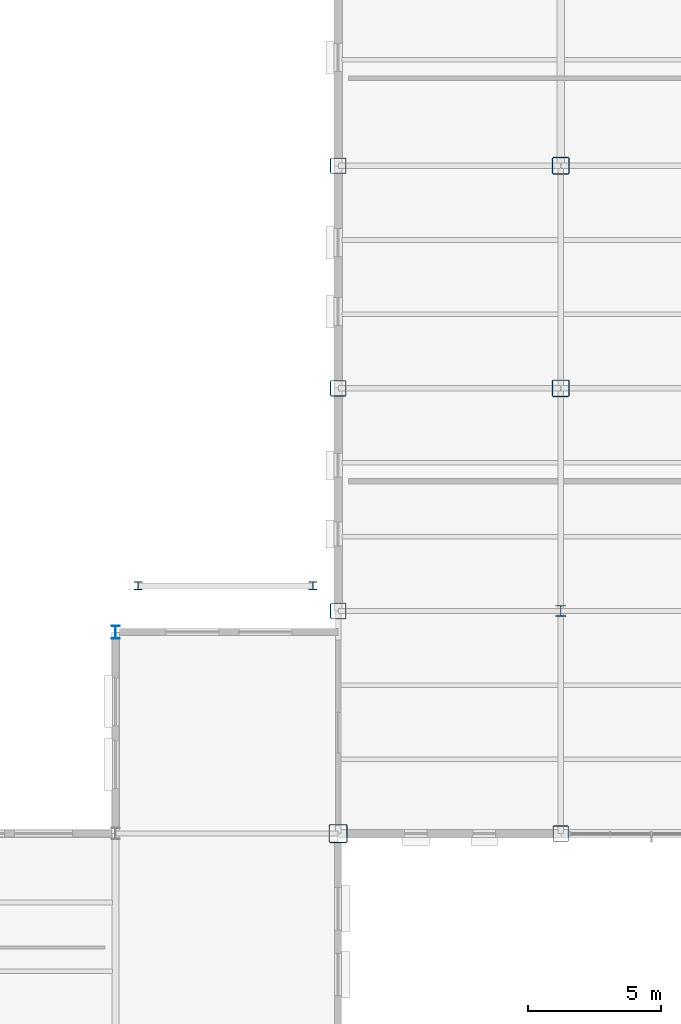
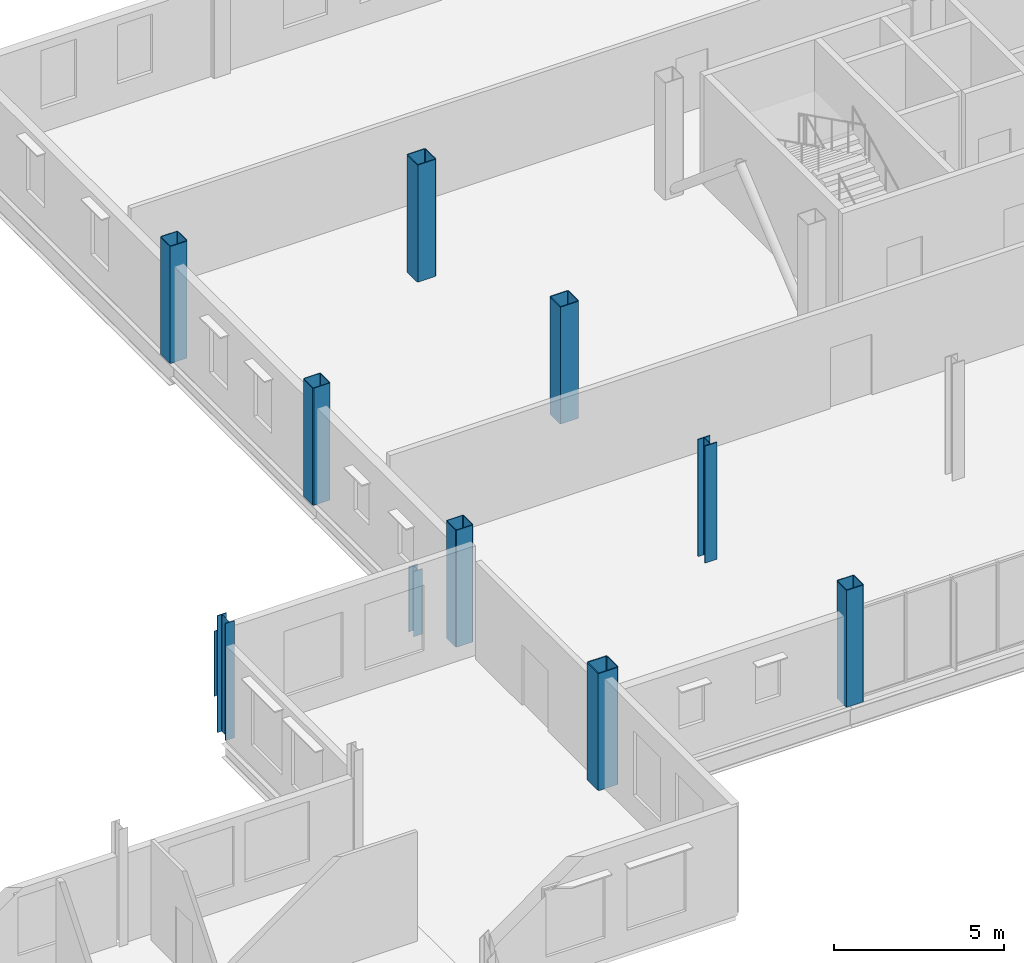
# One storey, part 9 of 45: 11 columns.
"""IFC4 building model written with IfcOpenShell, lengths in metres."""

from ifc_helpers import new_model, si_unit, direction, frame, origin, origin_2d, place, context, subcontext, project, spatial, hollow_rectangle, i_section, extrude, material, material_profile, profile_set, type_object, element, save


model = new_model("IFC4")

# Units and contexts
model_context = context("Model", 3, precision=1e-05, world=origin(), true_north=direction((0.0, 1.0)))
body_context = subcontext(model_context, "Body", "Model", "MODEL_VIEW")
ifc_project = project(units=[si_unit("LENGTHUNIT", "METRE"), si_unit("AREAUNIT", "SQUARE_METRE"), si_unit("VOLUMEUNIT", "CUBIC_METRE"), si_unit("PLANEANGLEUNIT", "RADIAN"), si_unit("MASSUNIT", "GRAM", prefix="KILO")], contexts=[model_context])

# Site, building, storey
site_placement = place(None, origin())
site = spatial("IfcSite", under=ifc_project, at=site_placement, CompositionType="ELEMENT")
building_placement = place(site_placement, origin())
building = spatial("IfcBuilding", under=site, at=building_placement, Name="Yukiwa Park Conservatory and Herbarium", CompositionType="ELEMENT")
storey_placement = place(building_placement, frame((0.0, 0.0, 9.0)))
storey = spatial("IfcBuildingStorey", under=building, at=storey_placement, Name="L02", CompositionType="ELEMENT", Elevation=9.0)

# Columns
ifc_material_1 = material(Name="Steel Q355D", Category="steel")
ifc_material_profile_1 = material_profile(ifc_material_1, hollow_rectangle(XDim=0.60009765625, YDim=0.60009765625, WallThickness=0.02490234375, InnerFilletRadius=0.02490234375, OuterFilletRadius=0.050048828125, at=origin_2d()), Name="BOX 600x600x25")
ifc_profile_set_1 = profile_set([ifc_material_profile_1], Name="Steel Q355D")
column_type_1 = type_object("IfcColumnType", Name="COL-TW-BOX600", PredefinedType="COLUMN", material=ifc_profile_set_1)
column_1_placement = place(storey_placement, frame((116.39990234375, 86.39990234375, 0.0), z_axis=(0.0, 0.0, 1.0), x_axis=(1.0, 0.0, 0.0)))
element("IfcColumn", 1, at=column_1_placement, inside=storey, type_object=column_type_1, Name="L02 column V5-X1164-Y864", PredefinedType="COLUMN", context=body_context, shape_type="SweptSolid", body=[
    extrude(hollow_rectangle(XDim=0.60009765625, YDim=0.60009765625, WallThickness=0.02490234375, InnerFilletRadius=0.02490234375, OuterFilletRadius=0.050048828125, at=origin_2d()), origin(), (0.0, 0.0, 1.0), 4.199951171875),
])
ifc_material_2 = material(Name="Steel Q355D", Category="steel")
ifc_material_profile_2 = material_profile(ifc_material_2, hollow_rectangle(XDim=0.60009765625, YDim=0.60009765625, WallThickness=0.02490234375, InnerFilletRadius=0.02490234375, OuterFilletRadius=0.050048828125, at=origin_2d()), Name="BOX 600x600x25")
ifc_profile_set_2 = profile_set([ifc_material_profile_2], Name="Steel Q355D")
column_type_2 = type_object("IfcColumnType", Name="COL-TW-BOX600-EXT", PredefinedType="COLUMN", material=ifc_profile_set_2)
for number, where, z_axis, x_axis, name in (
    (2, (116.39990234375, 94.800048828125, 0.0), (0.0, 0.0, 1.0), (1.0, 0.0, 0.0), "L02 column V5-X1164-Y948"),
    (3, (116.39990234375, 103.199951171875, 0.0), (0.0, 0.0, 1.0), (1.0, 0.0, 0.0), "L02 column V5-X1164-Y1032"),
    (4, (124.800048828125, 78.0, 0.0), (0.0, 0.0, 1.0), (1.0, 0.0, 0.0), "L02 column V5-X1248-Y780"),
):
    element("IfcColumn", number, at=place(storey_placement, frame(where, z_axis=z_axis, x_axis=x_axis)), inside=storey, type_object=column_type_2, Name=name, PredefinedType="COLUMN", context=body_context, shape_type="SweptSolid", body=[
        extrude(hollow_rectangle(XDim=0.60009765625, YDim=0.60009765625, WallThickness=0.02490234375, InnerFilletRadius=0.02490234375, OuterFilletRadius=0.050048828125, at=origin_2d()), origin(), (0.0, 0.0, 1.0), 4.199951171875),
    ])
ifc_material_3 = material(Name="Steel Q355D", Category="steel")
ifc_material_profile_3 = material_profile(ifc_material_3, hollow_rectangle(XDim=0.64990234375, YDim=0.64990234375, WallThickness=0.028076171875, InnerFilletRadius=0.028076171875, OuterFilletRadius=0.055908203125, at=origin_2d()), Name="BOX 650x650x28")
ifc_profile_set_3 = profile_set([ifc_material_profile_3], Name="Steel Q355D")
column_type_3 = type_object("IfcColumnType", Name="COL-TW-BOX650", PredefinedType="COLUMN", material=ifc_profile_set_3)
for number, where, z_axis, x_axis, name in (
    (5, (124.800048828125, 94.800048828125, 0.0), (0.0, 0.0, 1.0), (1.0, 0.0, 0.0), "L02 column V5-X1248-Y948"),
    (6, (124.800048828125, 103.199951171875, 0.0), (0.0, 0.0, 1.0), (1.0, 0.0, 0.0), "L02 column V5-X1248-Y1032"),
):
    element("IfcColumn", number, at=place(storey_placement, frame(where, z_axis=z_axis, x_axis=x_axis)), inside=storey, type_object=column_type_3, Name=name, PredefinedType="COLUMN", context=body_context, shape_type="SweptSolid", body=[
        extrude(hollow_rectangle(XDim=0.64990234375, YDim=0.64990234375, WallThickness=0.028076171875, InnerFilletRadius=0.028076171875, OuterFilletRadius=0.055908203125, at=origin_2d()), origin(), (0.0, 0.0, 1.0), 4.199951171875),
    ])
ifc_material_4 = material(Name="Steel Q355D", Category="steel")
ifc_material_profile_4 = material_profile(ifc_material_4, hollow_rectangle(XDim=0.699951171875, YDim=0.699951171875, WallThickness=0.031982421875, InnerFilletRadius=0.031982421875, OuterFilletRadius=0.06396484375, at=origin_2d()), Name="BOX 700x700x32")
ifc_profile_set_4 = profile_set([ifc_material_profile_4], Name="Steel Q355D")
column_type_4 = type_object("IfcColumnType", Name="COL-TW-BOX700", PredefinedType="COLUMN", material=ifc_profile_set_4)
column_2_placement = place(storey_placement, frame((116.39990234375, 78.0, 0.0), z_axis=(0.0, 0.0, 1.0), x_axis=(1.0, 0.0, 0.0)))
element("IfcColumn", 7, at=column_2_placement, inside=storey, type_object=column_type_4, Name="L02 column V5-X1164-Y780", PredefinedType="COLUMN", context=body_context, shape_type="SweptSolid", body=[
    extrude(hollow_rectangle(XDim=0.699951171875, YDim=0.699951171875, WallThickness=0.031982421875, InnerFilletRadius=0.031982421875, OuterFilletRadius=0.06396484375, at=origin_2d()), origin(), (0.0, 0.0, 1.0), 4.199951171875),
])
ifc_material_5 = material(Name="Steel Q355D", Category="steel")
ifc_material_profile_5 = material_profile(ifc_material_5, i_section(OverallWidth=0.300048828125, OverallDepth=0.300048828125, WebThickness=0.010009765625, FlangeThickness=0.014892578125, FilletRadius=0.01806640625, at=origin_2d()), Name="HW 300x300x10x15")
ifc_profile_set_5 = profile_set([ifc_material_profile_5], Name="Steel Q355D")
column_type_5 = type_object("IfcColumnType", Name="COL-TW-HW300-EXT", PredefinedType="COLUMN", material=ifc_profile_set_5)
for number, where, z_axis, x_axis, name in (
    (8, (108.85009765625, 87.35009765625, 0.0), (0.0, 0.0, 1.0), (1.0, 0.0, 0.0), "Service ramp canopy L02 portal post 3"),
    (9, (115.449951171875, 87.35009765625, 0.0), (0.0, 0.0, 1.0), (1.0, 0.0, 0.0), "Service ramp canopy L02 portal post 4"),
):
    element("IfcColumn", number, at=place(storey_placement, frame(where, z_axis=z_axis, x_axis=x_axis)), inside=storey, type_object=column_type_5, Name=name, PredefinedType="COLUMN", context=body_context, shape_type="SweptSolid", body=[
        extrude(i_section(OverallWidth=0.300048828125, OverallDepth=0.300048828125, WebThickness=0.010009765625, FlangeThickness=0.014892578125, FilletRadius=0.01806640625, at=origin_2d()), origin(), (0.0, 0.0, 1.0), 2.341064453125),
    ])
ifc_material_6 = material(Name="Steel Q355D", Category="steel")
ifc_material_profile_6 = material_profile(ifc_material_6, i_section(OverallWidth=0.406982421875, OverallDepth=0.427978515625, WebThickness=0.02001953125, FlangeThickness=0.034912109375, FilletRadius=0.02197265625, at=origin_2d()), Name="HW 428x407x20x35")
ifc_profile_set_6 = profile_set([ifc_material_profile_6], Name="Steel Q355D")
column_type_6 = type_object("IfcColumnType", Name="COL-TW-HW428", PredefinedType="COLUMN", material=ifc_profile_set_6)
column_3_placement = place(storey_placement, frame((124.800048828125, 86.39990234375, 0.0), z_axis=(0.0, 0.0, 1.0), x_axis=(1.0, 0.0, 0.0)))
element("IfcColumn", 10, at=column_3_placement, inside=storey, type_object=column_type_6, Name="L02 column V5-X1248-Y864", PredefinedType="COLUMN", context=body_context, shape_type="SweptSolid", body=[
    extrude(i_section(OverallWidth=0.406982421875, OverallDepth=0.427978515625, WebThickness=0.02001953125, FlangeThickness=0.034912109375, FilletRadius=0.02197265625, at=origin_2d()), origin(), (0.0, 0.0, 1.0), 4.199951171875),
])
ifc_material_7 = material(Name="Steel Q355D", Category="steel")
ifc_material_profile_7 = material_profile(ifc_material_7, i_section(OverallWidth=0.300048828125, OverallDepth=0.488037109375, WebThickness=0.010986328125, FlangeThickness=0.01806640625, FilletRadius=0.02392578125, at=origin_2d()), Name="HM 488x300x11x18")
ifc_profile_set_7 = profile_set([ifc_material_profile_7], Name="Steel Q355D")
column_type_7 = type_object("IfcColumnType", Name="COL-VS-HM488-EXT", PredefinedType="COLUMN", material=ifc_profile_set_7)
column_4_placement = place(storey_placement, frame((108.0, 85.60009765625, 0.0), z_axis=(0.0, 0.0, 1.0), x_axis=(1.0, 0.0, 0.0)))
element("IfcColumn", 11, at=column_4_placement, inside=storey, type_object=column_type_7, Name="L02 column LNK-X1080-Y856", PredefinedType="COLUMN", context=body_context, shape_type="SweptSolid", body=[
    extrude(i_section(OverallWidth=0.300048828125, OverallDepth=0.488037109375, WebThickness=0.010986328125, FlangeThickness=0.01806640625, FilletRadius=0.02392578125, at=origin_2d()), origin(), (0.0, 0.0, 1.0), 4.199951171875),
])

save(model, "model.ifc")
